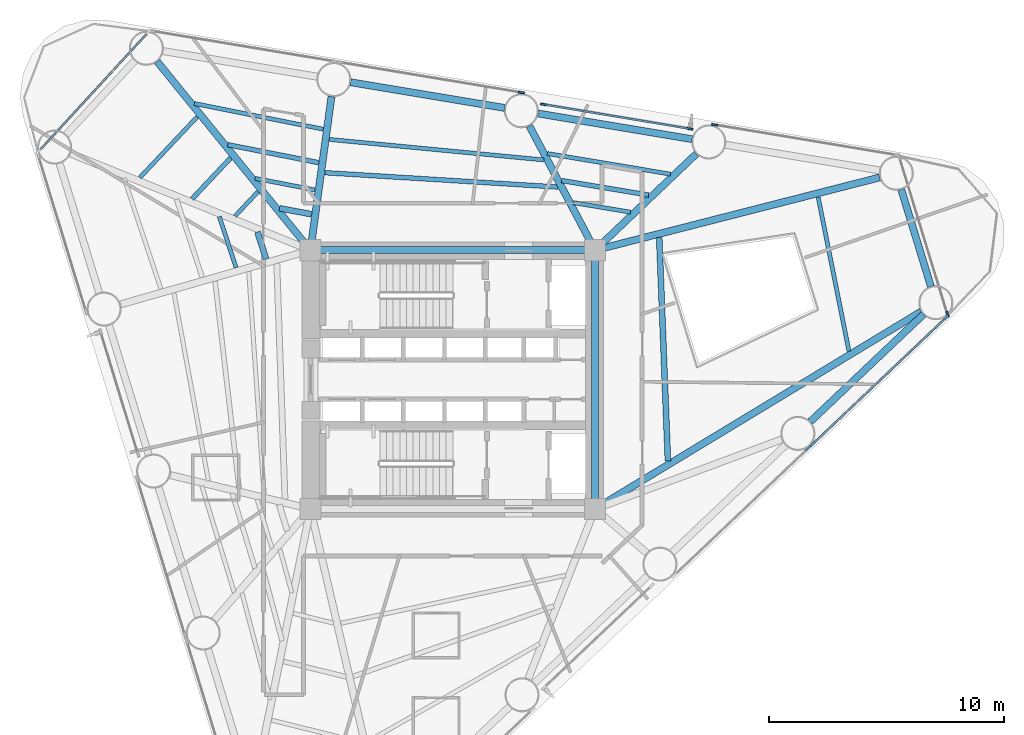
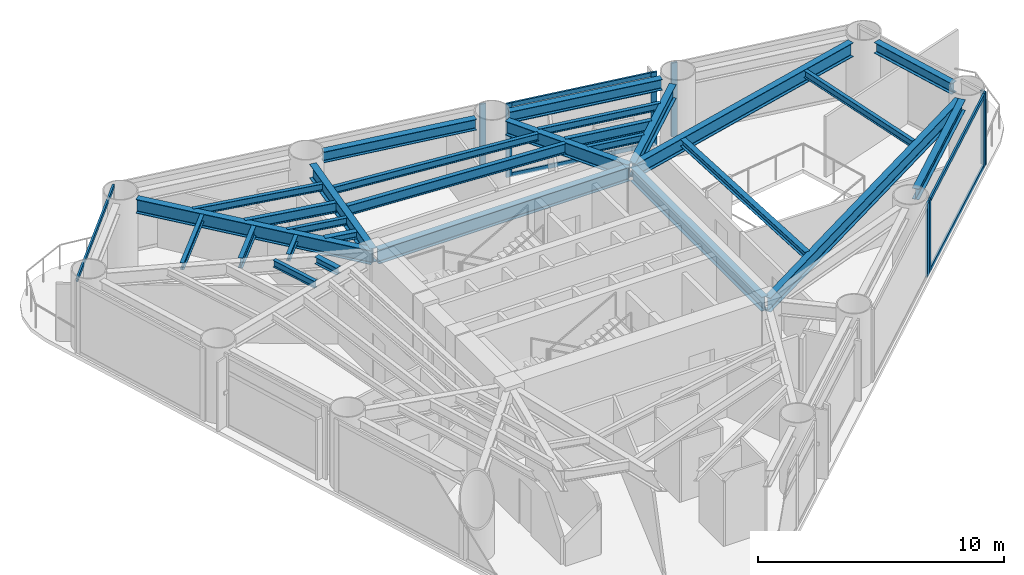
# One storey, part 3 of 10: 28 beams, 14 members, 7 elements without a shape of their own.
"""IFC4 building model written with IfcOpenShell, lengths in metres."""

from ifc_helpers import new_model, si_unit, direction, frame, origin, origin_2d, place, context, subcontext, project, spatial, rectangle, i_section, extrude, source, transform, mapped, material, layer, layer_set, material_profile, profile_set, type_object, element, aggregate, save


model = new_model("IFC4")

# Units and contexts
model_context = context("Model", 3, precision=1e-05, world=origin(), true_north=direction((0.0, 1.0)))
body_context = subcontext(model_context, "Body", "Model", "MODEL_VIEW")
ifc_project = project(units=[si_unit("LENGTHUNIT", "METRE"), si_unit("AREAUNIT", "SQUARE_METRE"), si_unit("VOLUMEUNIT", "CUBIC_METRE"), si_unit("PLANEANGLEUNIT", "RADIAN"), si_unit("MASSUNIT", "GRAM", prefix="KILO")], contexts=[model_context])

# Site, building, storey
site_placement = place(None, origin())
site = spatial("IfcSite", under=ifc_project, at=site_placement, CompositionType="ELEMENT")
building_placement = place(site_placement, origin())
building = spatial("IfcBuilding", under=site, at=building_placement, Name="Yunling Apex Tower", CompositionType="ELEMENT")
storey_placement = place(building_placement, frame((0.0, 0.0, 97.39990234375)))
storey = spatial("IfcBuildingStorey", under=building, at=storey_placement, Name="L24", CompositionType="ELEMENT", Elevation=97.39990234375)

# Beams
ifc_material_1 = material(Name="Steel Q355B", Category="steel")
ifc_material_profile_1 = material_profile(ifc_material_1, i_section(OverallWidth=0.300048828125, OverallDepth=0.699951171875, WebThickness=0.012939453125, FlangeThickness=0.02392578125, FilletRadius=0.02587890625, at=origin_2d()))
ifc_profile_set_1 = profile_set([ifc_material_profile_1], Name="Steel Q355B")
beam_type_1 = type_object("IfcBeamType", Name="BG-PRI-3", PredefinedType="USERDEFINED", material=ifc_profile_set_1)
shared_shape_1 = source(origin(), body_context, "Body", "SweptSolid", [
    extrude(i_section(OverallWidth=0.300048828125, OverallDepth=0.699951171875, WebThickness=0.012939453125, FlangeThickness=0.02392578125, FilletRadius=0.02587890625, at=origin_2d()), origin(), (0.0, 0.0, 1.0), 11.7998046875),
])
beam_1_placement = place(storey_placement, frame((5.89990234375, 5.5, 3.215087890625), z_axis=(-1.0, 0.0, 0.0), x_axis=(0.0, -1.0, 0.0)))
element("IfcBeam", 1, at=beam_1_placement, inside=storey, type_object=beam_type_1, Name="L24 Core Ring Tie Beam 3", ObjectType="GIRDER", PredefinedType="USERDEFINED", context=body_context, shape_type="MappedRepresentation", body=[
    mapped(shared_shape_1, transform((0.0, 0.0, 0.0), scale=1.0)),
])
shared_shape_2 = source(origin(), body_context, "Body", "SweptSolid", [
    extrude(i_section(OverallWidth=0.300048828125, OverallDepth=0.699951171875, WebThickness=0.012939453125, FlangeThickness=0.02392578125, FilletRadius=0.02587890625, at=origin_2d()), origin(), (0.0, 0.0, 1.0), 10.7001953125),
])
beam_2_placement = place(storey_placement, frame((6.050048828125, -5.35009765625, 3.215087890625), z_axis=(0.0, 1.0, 0.0), x_axis=(-1.0, 0.0, 0.0)))
element("IfcBeam", 2, at=beam_2_placement, inside=storey, type_object=beam_type_1, Name="L24 Core Ring Tie Beam 2", ObjectType="GIRDER", PredefinedType="USERDEFINED", context=body_context, shape_type="MappedRepresentation", body=[
    mapped(shared_shape_2, transform((0.0, 0.0, 0.0), scale=1.0)),
])
ifc_material_profile_2 = material_profile(ifc_material_1, i_section(OverallWidth=0.300048828125, OverallDepth=0.5400390625, WebThickness=0.011962890625, FlangeThickness=0.02001953125, FilletRadius=0.02392578125, at=origin_2d()))
ifc_profile_set_2 = profile_set([ifc_material_profile_2], Name="Steel Q355B")
beam_type_2 = type_object("IfcBeamType", Name="BP-SPN-1", PredefinedType="SPANDREL", material=ifc_profile_set_2)
shared_shape_3 = source(origin(), body_context, "Body", "SweptSolid", [
    extrude(i_section(OverallWidth=0.300048828125, OverallDepth=0.5400390625, WebThickness=0.011962890625, FlangeThickness=0.02001953125, FilletRadius=0.02392578125, at=origin_2d()), origin(), (0.0, 0.0, 1.0), 6.6416015625),
])
beam_3_placement = place(storey_placement, frame((15.194580078125, -1.79248046875, 3.295166015625), z_axis=(0.725873473547, 0.687828249203, 0.0), x_axis=(-0.687828249203, 0.725873473547, 0.0)))
element("IfcBeam", 3, at=beam_3_placement, inside=storey, type_object=beam_type_2, Name="L24 Perimeter Spandrel Beam 4", PredefinedType="SPANDREL", context=body_context, shape_type="MappedRepresentation", body=[
    mapped(shared_shape_3, transform((0.0, 0.0, 0.0), scale=1.0)),
])
shared_shape_4 = source(origin(), body_context, "Body", "SweptSolid", [
    extrude(i_section(OverallWidth=0.300048828125, OverallDepth=0.5400390625, WebThickness=0.011962890625, FlangeThickness=0.02001953125, FilletRadius=0.02392578125, at=origin_2d()), origin(), (0.0, 0.0, 1.0), 4.316162109375),
])
beam_4_placement = place(storey_placement, frame((20.327392578125, 3.9580078125, 3.295166015625), z_axis=(-0.29238810835, 0.956299740717, 0.0), x_axis=(-0.956299740717, -0.29238810835, 0.0)))
element("IfcBeam", 4, at=beam_4_placement, inside=storey, type_object=beam_type_2, Name="L24 Perimeter Spandrel Beam 5", PredefinedType="SPANDREL", context=body_context, shape_type="MappedRepresentation", body=[
    mapped(shared_shape_4, transform((0.0, 0.0, 0.0), scale=1.0)),
])
shared_shape_5 = source(origin(), body_context, "Body", "SweptSolid", [
    extrude(i_section(OverallWidth=0.300048828125, OverallDepth=0.5400390625, WebThickness=0.011962890625, FlangeThickness=0.02001953125, FilletRadius=0.02392578125, at=origin_2d()), origin(), (0.0, 0.0, 1.0), 6.641845703125),
])
for number, where, z_axis, x_axis, name in (
    (5, (10.176025390625, 10.21923828125, 3.295166015625), (-0.986402863526, 0.164345340146, 0.0), (-0.164345340146, -0.986402863526, 0.0), "L24 Perimeter Spandrel Beam 7"),
    (6, (2.206298828125, 11.547119140625, 3.295166015625), (-0.986396904036, 0.164381105081, 0.0), (-0.164381105081, -0.986396904036, 0.0), "L24 Perimeter Spandrel Beam 8"),
):
    element("IfcBeam", number, at=place(storey_placement, frame(where, z_axis=z_axis, x_axis=x_axis)), inside=storey, type_object=beam_type_2, Name=name, PredefinedType="SPANDREL", context=body_context, shape_type="MappedRepresentation", body=[
        mapped(shared_shape_5, transform((0.0, 0.0, 0.0), scale=1.0)),
    ])
shared_shape_6 = source(origin(), body_context, "Body", "SweptSolid", [
    extrude(i_section(OverallWidth=0.300048828125, OverallDepth=0.699951171875, WebThickness=0.012939453125, FlangeThickness=0.02392578125, FilletRadius=0.02587890625, at=origin_2d()), origin(), (0.0, 0.0, 1.0), 16.12255859375),
])
beam_5_placement = place(storey_placement, frame((19.91064453125, 2.890869140625, 3.215087890625), z_axis=(-0.855460711475, -0.517867715854, 0.0), x_axis=(0.517867715854, -0.855460711475, 0.0)))
element("IfcBeam", 7, at=beam_5_placement, inside=storey, type_object=beam_type_1, Name="L24 Radial Primary Girder R05", ObjectType="GIRDER", PredefinedType="USERDEFINED", context=body_context, shape_type="MappedRepresentation", body=[
    mapped(shared_shape_6, transform((0.0, 0.0, 0.0), scale=1.0)),
])
shared_shape_7 = source(origin(), body_context, "Body", "SweptSolid", [
    extrude(i_section(OverallWidth=0.300048828125, OverallDepth=0.699951171875, WebThickness=0.012939453125, FlangeThickness=0.02392578125, FilletRadius=0.02587890625, at=origin_2d()), origin(), (0.0, 0.0, 1.0), 12.404052734375),
])
beam_6_placement = place(storey_placement, frame((18.14501953125, 8.591552734375, 3.215087890625), z_axis=(-0.968850823376, -0.247645072723, 0.0), x_axis=(0.247645072723, -0.968850823376, 0.0)))
element("IfcBeam", 8, at=beam_6_placement, inside=storey, type_object=beam_type_1, Name="L24 Radial Primary Girder R06", ObjectType="GIRDER", PredefinedType="USERDEFINED", context=body_context, shape_type="MappedRepresentation", body=[
    mapped(shared_shape_7, transform((0.0, 0.0, 0.0), scale=1.0)),
])
shared_shape_8 = source(origin(), body_context, "Body", "SweptSolid", [
    extrude(i_section(OverallWidth=0.300048828125, OverallDepth=0.699951171875, WebThickness=0.012939453125, FlangeThickness=0.02392578125, FilletRadius=0.02587890625, at=origin_2d()), origin(), (0.0, 0.0, 1.0), 5.861572265625),
])
beam_7_placement = place(storey_placement, frame((10.354248046875, 9.595703125, 3.215087890625), z_axis=(-0.724444921608, -0.689332688588, 0.0), x_axis=(0.689332688588, -0.724444921608, 0.0)))
element("IfcBeam", 9, at=beam_7_placement, inside=storey, type_object=beam_type_1, Name="L24 Radial Primary Girder R07", ObjectType="GIRDER", PredefinedType="USERDEFINED", context=body_context, shape_type="MappedRepresentation", body=[
    mapped(shared_shape_8, transform((0.0, 0.0, 0.0), scale=1.0)),
])
shared_shape_9 = source(origin(), body_context, "Body", "SweptSolid", [
    extrude(i_section(OverallWidth=0.300048828125, OverallDepth=0.699951171875, WebThickness=0.012939453125, FlangeThickness=0.02392578125, FilletRadius=0.02587890625, at=origin_2d()), origin(), (0.0, 0.0, 1.0), 5.8935546875),
])
beam_8_placement = place(storey_placement, frame((3.258056640625, 10.781005859375, 3.215087890625), z_axis=(0.467396595772, -0.884047748858, 0.0), x_axis=(0.884047748858, 0.467396595772, 0.0)))
element("IfcBeam", 10, at=beam_8_placement, inside=storey, type_object=beam_type_1, Name="L24 Radial Primary Girder R08", ObjectType="GIRDER", PredefinedType="USERDEFINED", context=body_context, shape_type="MappedRepresentation", body=[
    mapped(shared_shape_9, transform((0.0, 0.0, 0.0), scale=1.0)),
])
shared_shape_10 = source(origin(), body_context, "Body", "SweptSolid", [
    extrude(i_section(OverallWidth=0.300048828125, OverallDepth=0.699951171875, WebThickness=0.012939453125, FlangeThickness=0.02392578125, FilletRadius=0.02587890625, at=origin_2d()), origin(), (0.0, 0.0, 1.0), 6.51171875),
])
beam_9_placement = place(storey_placement, frame((-5.154052734375, 12.03076171875, 3.215087890625), z_axis=(-0.135907866291, -0.990721480478, 0.0), x_axis=(0.990721480478, -0.135907866291, 0.0)))
element("IfcBeam", 11, at=beam_9_placement, inside=storey, type_object=beam_type_1, Name="L24 Radial Primary Girder R09", ObjectType="GIRDER", PredefinedType="USERDEFINED", context=body_context, shape_type="MappedRepresentation", body=[
    mapped(shared_shape_10, transform((0.0, 0.0, 0.0), scale=1.0)),
])
shared_shape_11 = source(origin(), body_context, "Body", "SweptSolid", [
    extrude(i_section(OverallWidth=0.300048828125, OverallDepth=0.699951171875, WebThickness=0.012939453125, FlangeThickness=0.02392578125, FilletRadius=0.02587890625, at=origin_2d()), origin(), (0.0, 0.0, 1.0), 10.248046875),
])
beam_10_placement = place(storey_placement, frame((-12.56201171875, 13.51611328125, 3.215087890625), z_axis=(0.630531635465, -0.776163550212, 0.0), x_axis=(0.776163550212, 0.630531635465, 0.0)))
element("IfcBeam", 12, at=beam_10_placement, inside=storey, type_object=beam_type_1, Name="L24 Radial Primary Girder R10", ObjectType="GIRDER", PredefinedType="USERDEFINED", context=body_context, shape_type="MappedRepresentation", body=[
    mapped(shared_shape_11, transform((0.0, 0.0, 0.0), scale=1.0)),
])
ifc_material_profile_3 = material_profile(ifc_material_1, i_section(OverallWidth=0.175048828125, OverallDepth=0.35009765625, WebThickness=0.007080078125, FlangeThickness=0.010986328125, FilletRadius=0.013916015625, at=origin_2d()))
ifc_profile_set_3 = profile_set([ifc_material_profile_3], Name="Steel Q355B")
beam_type_3 = type_object("IfcBeamType", Name="BJ-JST-1", PredefinedType="JOIST", material=ifc_profile_set_3)
shared_shape_12 = source(origin(), body_context, "Body", "SweptSolid", [
    extrude(i_section(OverallWidth=0.175048828125, OverallDepth=0.35009765625, WebThickness=0.007080078125, FlangeThickness=0.010986328125, FilletRadius=0.013916015625, at=origin_2d()), origin(), (0.0, 0.0, 1.0), 6.677978515625),
])
beam_11_placement = place(storey_placement, frame((16.844970703125, 1.2109375, 3.39013671875), z_axis=(-0.196502798026, 0.980503263823, 0.0), x_axis=(-0.980503263823, -0.196502798026, 0.0)))
element("IfcBeam", 13, at=beam_11_placement, inside=storey, type_object=beam_type_3, Name="L24 Composite Floor Joist BJ1-5", PredefinedType="JOIST", context=body_context, shape_type="MappedRepresentation", body=[
    mapped(shared_shape_12, transform((0.0, 0.0, 0.0), scale=1.0)),
])
ifc_material_profile_4 = material_profile(ifc_material_1, i_section(OverallWidth=0.25, OverallDepth=0.340087890625, WebThickness=0.009033203125, FlangeThickness=0.013916015625, FilletRadius=0.01806640625, at=origin_2d()))
ifc_profile_set_4 = profile_set([ifc_material_profile_4], Name="Steel Q355B")
beam_type_4 = type_object("IfcBeamType", Name="BJ-JST-2", PredefinedType="JOIST", material=ifc_profile_set_4)
shared_shape_13 = source(origin(), body_context, "Body", "SweptSolid", [
    extrude(i_section(OverallWidth=0.25, OverallDepth=0.340087890625, WebThickness=0.009033203125, FlangeThickness=0.013916015625, FilletRadius=0.01806640625, at=origin_2d()), origin(), (0.0, 0.0, 1.0), 9.504638671875),
])
beam_12_placement = place(storey_placement, frame((9.146484375, -3.4619140625, 3.39501953125), z_axis=(-0.038811925144, 0.999246533377, 0.0), x_axis=(-0.999246533377, -0.038811925144, 0.0)))
element("IfcBeam", 14, at=beam_12_placement, inside=storey, type_object=beam_type_4, Name="L24 Composite Floor Joist BJ2-5", PredefinedType="JOIST", context=body_context, shape_type="MappedRepresentation", body=[
    mapped(shared_shape_13, transform((0.0, 0.0, 0.0), scale=1.0)),
])
ifc_material_profile_5 = material_profile(ifc_material_1, i_section(OverallWidth=0.199951171875, OverallDepth=0.5, WebThickness=0.010009765625, FlangeThickness=0.01611328125, FilletRadius=0.02001953125, at=origin_2d()))
ifc_profile_set_5 = profile_set([ifc_material_profile_5], Name="Steel Q355B")
beam_type_5 = type_object("IfcBeamType", Name="BS-SEC-2", PredefinedType="BEAM", material=ifc_profile_set_5)
shared_shape_14 = source(origin(), body_context, "Body", "SweptSolid", [
    extrude(i_section(OverallWidth=0.199951171875, OverallDepth=0.5, WebThickness=0.010009765625, FlangeThickness=0.01611328125, FilletRadius=0.02001953125, at=origin_2d()), origin(), (0.0, 0.0, 1.0), 3.751708984375),
])
beam_13_placement = place(storey_placement, frame((8.328125, 7.84423828125, 3.315185546875), z_axis=(-0.986342871573, 0.164705008112, 0.0), x_axis=(-0.164705008112, -0.986342871573, 0.0)))
element("IfcBeam", 15, at=beam_13_placement, inside=storey, type_object=beam_type_5, Name="L24 Composite Floor Beam BS-7", PredefinedType="BEAM", context=body_context, shape_type="MappedRepresentation", body=[
    mapped(shared_shape_14, transform((0.0, 0.0, 0.0), scale=1.0)),
])
shared_shape_15 = source(origin(), body_context, "Body", "SweptSolid", [
    extrude(i_section(OverallWidth=0.175048828125, OverallDepth=0.35009765625, WebThickness=0.007080078125, FlangeThickness=0.010986328125, FilletRadius=0.013916015625, at=origin_2d()), origin(), (0.0, 0.0, 1.0), 5.31298828125),
])
beam_14_placement = place(storey_placement, frame((9.26220703125, 8.733154296875, 3.39013671875), z_axis=(-0.9863379805, 0.164734295835, 0.0), x_axis=(-0.164734295835, -0.9863379805, 0.0)))
element("IfcBeam", 16, at=beam_14_placement, inside=storey, type_object=beam_type_3, Name="L24 Composite Floor Joist BJ1-7", PredefinedType="JOIST", context=body_context, shape_type="MappedRepresentation", body=[
    mapped(shared_shape_15, transform((0.0, 0.0, 0.0), scale=1.0)),
])
shared_shape_16 = source(origin(), body_context, "Body", "SweptSolid", [
    extrude(i_section(OverallWidth=0.175048828125, OverallDepth=0.35009765625, WebThickness=0.007080078125, FlangeThickness=0.010986328125, FilletRadius=0.013916015625, at=origin_2d()), origin(), (0.0, 0.0, 1.0), 2.4736328125),
])
beam_15_placement = place(storey_placement, frame((7.563720703125, 7.116943359375, 3.39013671875), z_axis=(-0.986340524185, 0.164719064925, 0.0), x_axis=(-0.164719064925, -0.986340524185, 0.0)))
element("IfcBeam", 17, at=beam_15_placement, inside=storey, type_object=beam_type_3, Name="L24 Composite Floor Joist BJ3-7", PredefinedType="JOIST", context=body_context, shape_type="MappedRepresentation", body=[
    mapped(shared_shape_16, transform((0.0, 0.0, 0.0), scale=1.0)),
])
shared_shape_17 = source(origin(), body_context, "Body", "SweptSolid", [
    extrude(i_section(OverallWidth=0.199951171875, OverallDepth=0.5, WebThickness=0.010009765625, FlangeThickness=0.01611328125, FilletRadius=0.02001953125, at=origin_2d()), origin(), (0.0, 0.0, 1.0), 9.931396484375),
])
beam_16_placement = place(storey_placement, frame((4.4755859375, 8.185791015625, 3.315185546875), z_axis=(-0.998115763158, 0.061358971106, 0.0), x_axis=(-0.061358971106, -0.998115763158, 0.0)))
element("IfcBeam", 18, at=beam_16_placement, inside=storey, type_object=beam_type_5, Name="L24 Composite Floor Beam BS-8", PredefinedType="BEAM", context=body_context, shape_type="MappedRepresentation", body=[
    mapped(shared_shape_17, transform((0.0, 0.0, 0.0), scale=1.0)),
])
shared_shape_18 = source(origin(), body_context, "Body", "SweptSolid", [
    extrude(i_section(OverallWidth=0.175048828125, OverallDepth=0.35009765625, WebThickness=0.007080078125, FlangeThickness=0.010986328125, FilletRadius=0.013916015625, at=origin_2d()), origin(), (0.0, 0.0, 1.0), 9.154296875),
])
beam_17_placement = place(storey_placement, frame((3.8701171875, 9.33740234375, 3.39013671875), z_axis=(-0.99545727606, 0.095209303851, 0.0), x_axis=(-0.095209303851, -0.99545727606, 0.0)))
element("IfcBeam", 19, at=beam_17_placement, inside=storey, type_object=beam_type_3, Name="L24 Composite Floor Joist BJ1-8", PredefinedType="JOIST", context=body_context, shape_type="MappedRepresentation", body=[
    mapped(shared_shape_18, transform((0.0, 0.0, 0.0), scale=1.0)),
])
shared_shape_19 = source(origin(), body_context, "Body", "SweptSolid", [
    extrude(i_section(OverallWidth=0.199951171875, OverallDepth=0.5, WebThickness=0.010009765625, FlangeThickness=0.01611328125, FilletRadius=0.02001953125, at=origin_2d()), origin(), (0.0, 0.0, 1.0), 3.93603515625),
])
beam_18_placement = place(storey_placement, frame((-5.700439453125, 9.22314453125, 3.315185546875), z_axis=(-0.981071392503, 0.193646386002, 0.0), x_axis=(-0.193646386002, -0.981071392503, 0.0)))
element("IfcBeam", 20, at=beam_18_placement, inside=storey, type_object=beam_type_5, Name="L24 Composite Floor Beam BS-9", PredefinedType="BEAM", context=body_context, shape_type="MappedRepresentation", body=[
    mapped(shared_shape_19, transform((0.0, 0.0, 0.0), scale=1.0)),
])
shared_shape_20 = source(origin(), body_context, "Body", "SweptSolid", [
    extrude(i_section(OverallWidth=0.175048828125, OverallDepth=0.35009765625, WebThickness=0.007080078125, FlangeThickness=0.010986328125, FilletRadius=0.013916015625, at=origin_2d()), origin(), (0.0, 0.0, 1.0), 5.5859375),
])
beam_19_placement = place(storey_placement, frame((-5.505615234375, 10.642822265625, 3.39013671875), z_axis=(-0.980703200221, 0.195502514243, 0.0), x_axis=(-0.195502514243, -0.980703200221, 0.0)))
element("IfcBeam", 21, at=beam_19_placement, inside=storey, type_object=beam_type_3, Name="L24 Composite Floor Joist BJ1-9", PredefinedType="JOIST", context=body_context, shape_type="MappedRepresentation", body=[
    mapped(shared_shape_20, transform((0.0, 0.0, 0.0), scale=1.0)),
])
shared_shape_21 = source(origin(), body_context, "Body", "SweptSolid", [
    extrude(i_section(OverallWidth=0.175048828125, OverallDepth=0.35009765625, WebThickness=0.007080078125, FlangeThickness=0.010986328125, FilletRadius=0.013916015625, at=origin_2d()), origin(), (0.0, 0.0, 1.0), 2.586181640625),
])
beam_20_placement = place(storey_placement, frame((-5.85986328125, 8.061279296875, 3.39013671875), z_axis=(-0.981668903035, 0.190594241295, 0.0), x_axis=(-0.190594241295, -0.981668903035, 0.0)))
element("IfcBeam", 22, at=beam_20_placement, inside=storey, type_object=beam_type_3, Name="L24 Composite Floor Joist BJ3-9", PredefinedType="JOIST", context=body_context, shape_type="MappedRepresentation", body=[
    mapped(shared_shape_21, transform((0.0, 0.0, 0.0), scale=1.0)),
])
shared_shape_22 = source(origin(), body_context, "Body", "SweptSolid", [
    extrude(i_section(OverallWidth=0.25, OverallDepth=0.340087890625, WebThickness=0.009033203125, FlangeThickness=0.013916015625, FilletRadius=0.01806640625, at=origin_2d()), origin(), (0.0, 0.0, 1.0), 1.38671875),
])
beam_21_placement = place(storey_placement, frame((-6.001708984375, 7.028076171875, 3.39501953125), z_axis=(-0.982993560329, 0.183640029272, 0.0), x_axis=(-0.183640029272, -0.982993560329, 0.0)))
element("IfcBeam", 23, at=beam_21_placement, inside=storey, type_object=beam_type_4, Name="L24 Composite Floor Joist BJ2-9", PredefinedType="JOIST", context=body_context, shape_type="MappedRepresentation", body=[
    mapped(shared_shape_22, transform((0.0, 0.0, 0.0), scale=1.0)),
])
shared_shape_23 = source(origin(), body_context, "Body", "SweptSolid", [
    extrude(i_section(OverallWidth=0.199951171875, OverallDepth=0.5, WebThickness=0.010009765625, FlangeThickness=0.01611328125, FilletRadius=0.02001953125, at=origin_2d()), origin(), (0.0, 0.0, 1.0), 2.385498046875),
])
beam_22_placement = place(storey_placement, frame((-9.44091796875, 9.422607421875, 3.315185546875), z_axis=(-0.685604091154, -0.727974608207, 0.0), x_axis=(0.727974608207, -0.685604091154, 0.0)))
element("IfcBeam", 24, at=beam_22_placement, inside=storey, type_object=beam_type_5, Name="L24 Composite Floor Beam BS-10", PredefinedType="BEAM", context=body_context, shape_type="MappedRepresentation", body=[
    mapped(shared_shape_23, transform((0.0, 0.0, 0.0), scale=1.0)),
])
shared_shape_24 = source(origin(), body_context, "Body", "SweptSolid", [
    extrude(i_section(OverallWidth=0.175048828125, OverallDepth=0.35009765625, WebThickness=0.007080078125, FlangeThickness=0.010986328125, FilletRadius=0.013916015625, at=origin_2d()), origin(), (0.0, 0.0, 1.0), 3.558349609375),
])
beam_23_placement = place(storey_placement, frame((-10.862548828125, 11.172607421875, 3.39013671875), z_axis=(-0.685976545908, -0.727623651666, 0.0), x_axis=(0.727623651666, -0.685976545908, 0.0)))
element("IfcBeam", 25, at=beam_23_placement, inside=storey, type_object=beam_type_3, Name="L24 Composite Floor Joist BJ1-10", PredefinedType="JOIST", context=body_context, shape_type="MappedRepresentation", body=[
    mapped(shared_shape_24, transform((0.0, 0.0, 0.0), scale=1.0)),
])
shared_shape_25 = source(origin(), body_context, "Body", "SweptSolid", [
    extrude(i_section(OverallWidth=0.175048828125, OverallDepth=0.35009765625, WebThickness=0.007080078125, FlangeThickness=0.010986328125, FilletRadius=0.013916015625, at=origin_2d()), origin(), (0.0, 0.0, 1.0), 1.42578125),
])
beam_24_placement = place(storey_placement, frame((-8.277587890625, 7.99072265625, 3.39013671875), z_axis=(-0.68493728069, -0.728602032334, 0.0), x_axis=(0.728602032334, -0.68493728069, 0.0)))
element("IfcBeam", 26, at=beam_24_placement, inside=storey, type_object=beam_type_3, Name="L24 Composite Floor Joist BJ3-10", PredefinedType="JOIST", context=body_context, shape_type="MappedRepresentation", body=[
    mapped(shared_shape_25, transform((0.0, 0.0, 0.0), scale=1.0)),
])
shared_shape_26 = source(origin(), body_context, "Body", "SweptSolid", [
    extrude(i_section(OverallWidth=0.175048828125, OverallDepth=0.35009765625, WebThickness=0.007080078125, FlangeThickness=0.010986328125, FilletRadius=0.013916015625, at=origin_2d()), origin(), (0.0, 0.0, 1.0), 2.277099609375),
])
beam_25_placement = place(storey_placement, frame((-9.92138671875, 6.927978515625, 3.39013671875), z_axis=(0.311044342957, -0.950395400196, 0.0), x_axis=(0.950395400196, 0.311044342957, 0.0)))
element("IfcBeam", 27, at=beam_25_placement, inside=storey, type_object=beam_type_3, Name="L24 Composite Floor Joist BJ3-11", PredefinedType="JOIST", context=body_context, shape_type="MappedRepresentation", body=[
    mapped(shared_shape_26, transform((0.0, 0.0, 0.0), scale=1.0)),
])
shared_shape_27 = source(origin(), body_context, "Body", "SweptSolid", [
    extrude(i_section(OverallWidth=0.25, OverallDepth=0.340087890625, WebThickness=0.009033203125, FlangeThickness=0.013916015625, FilletRadius=0.01806640625, at=origin_2d()), origin(), (0.0, 0.0, 1.0), 1.2041015625),
])
beam_26_placement = place(storey_placement, frame((-8.302490234375, 6.275146484375, 3.39501953125), z_axis=(0.306173262139, -0.951975805129, 0.0), x_axis=(0.951975805129, 0.306173262139, 0.0)))
element("IfcBeam", 28, at=beam_26_placement, inside=storey, type_object=beam_type_4, Name="L24 Composite Floor Joist BJ2-11", PredefinedType="JOIST", context=body_context, shape_type="MappedRepresentation", body=[
    mapped(shared_shape_27, transform((0.0, 0.0, 0.0), scale=1.0)),
])

# Curtain wall, member
ifc_material_2 = material(Name="Bronze anodised aluminium", Category="aluminium")
ifc_layer = layer(ifc_material_2, 0.260009765625)
ifc_layer_set = layer_set([ifc_layer], Name="Bronze anodised aluminium")
curtain_wall_type = type_object("IfcCurtainWallType", Name="CW-SYS-2", PredefinedType="NOTDEFINED", material=ifc_layer_set)
curtain_wall_1_placement = place(storey_placement, origin())
curtain_wall_1 = element("IfcCurtainWall", 29, at=curtain_wall_1_placement, inside=storey, type_object=curtain_wall_type, Name="CW-L24-F1-B3", PredefinedType="NOTDEFINED")
ifc_material_profile_6 = material_profile(ifc_material_2, rectangle(XDim=0.0849609375, YDim=0.260009765625, at=origin_2d()))
ifc_profile_set_6 = profile_set([ifc_material_profile_6], Name="Bronze anodised aluminium")
member_type_1 = type_object("IfcMemberType", Name="CW-MUL-2", PredefinedType="MULLION", material=ifc_profile_set_6)
shared_shape_28 = source(origin(), body_context, "Body", "SweptSolid", [
    extrude(rectangle(XDim=0.0849609375, YDim=0.260009765625, at=origin_2d()), origin(), (0.0, 0.0, 1.0), 3.664794921875),
])
member_1_placement = place(storey_placement, frame((15.106689453125, -2.923095703125, -0.0498046875), z_axis=(0.0, 0.0, 1.0), x_axis=(-0.687861264918, 0.72584218686, 0.0)))
member_1 = element("IfcMember", 30, at=member_1_placement, type_object=member_type_1, Name="CW-SYS-2 mullion 2", PredefinedType="MULLION", context=body_context, shape_type="MappedRepresentation", body=[
    mapped(shared_shape_28, transform((0.0, 0.0, 0.0), scale=1.0)),
])
aggregate(curtain_wall_1, [member_1])

# Curtain wall, members
curtain_wall_2_placement = place(storey_placement, origin())
curtain_wall_2 = element("IfcCurtainWall", 31, at=curtain_wall_2_placement, inside=storey, type_object=curtain_wall_type, Name="CW-L24-F1-B4", PredefinedType="NOTDEFINED")
member_2_placement = place(storey_placement, frame((15.28466796875, -2.754638671875, -0.0498046875), z_axis=(0.0, 0.0, 1.0), x_axis=(-0.687861264918, 0.72584218686, 0.0)))
member_2 = element("IfcMember", 32, at=member_2_placement, type_object=member_type_1, Name="CW-SYS-2 mullion 1", PredefinedType="MULLION", context=body_context, shape_type="MappedRepresentation", body=[
    mapped(shared_shape_28, transform((0.0, 0.0, 0.0), scale=1.0)),
])
member_3_placement = place(storey_placement, frame((20.971435546875, 2.634765625, -0.0498046875), z_axis=(0.0, 0.0, 1.0), x_axis=(-0.687861264918, 0.72584218686, 0.0)))
member_3 = element("IfcMember", 33, at=member_3_placement, type_object=member_type_1, Name="CW-SYS-2 mullion 2", PredefinedType="MULLION", context=body_context, shape_type="MappedRepresentation", body=[
    mapped(shared_shape_28, transform((0.0, 0.0, 0.0), scale=1.0)),
])

# Curtain wall, member
curtain_wall_3_placement = place(storey_placement, origin())
curtain_wall_3 = element("IfcCurtainWall", 34, at=curtain_wall_3_placement, inside=storey, type_object=curtain_wall_type, Name="CW-L24-CRN1", PredefinedType="NOTDEFINED")
member_4_placement = place(storey_placement, frame((21.0341796875, 2.77392578125, -0.0498046875), z_axis=(0.0, 0.0, 1.0), x_axis=(-0.95630374567, -0.292375009223, 0.0)))
member_4 = element("IfcMember", 35, at=member_4_placement, type_object=member_type_1, Name="CW-SYS-2 mullion 1", PredefinedType="MULLION", context=body_context, shape_type="MappedRepresentation", body=[
    mapped(shared_shape_28, transform((0.0, 0.0, 0.0), scale=1.0)),
])
aggregate(curtain_wall_3, [member_4])

curtain_wall_4_placement = place(storey_placement, origin())
curtain_wall_4 = element("IfcCurtainWall", 36, at=curtain_wall_4_placement, inside=storey, type_object=curtain_wall_type, Name="CW-L24-F2-B1", PredefinedType="NOTDEFINED")
member_5_placement = place(storey_placement, frame((11.131103515625, 10.83056640625, -0.0498046875), z_axis=(0.0, 0.0, 1.0), x_axis=(-0.16436008369, -0.98640040698, 0.0)))
member_5 = element("IfcMember", 37, at=member_5_placement, type_object=member_type_1, Name="CW-SYS-2 mullion 2", PredefinedType="MULLION", context=body_context, shape_type="MappedRepresentation", body=[
    mapped(shared_shape_28, transform((0.0, 0.0, 0.0), scale=1.0)),
])
aggregate(curtain_wall_4, [member_5])

# Curtain wall, members
curtain_wall_5_placement = place(storey_placement, origin())
curtain_wall_5 = element("IfcCurtainWall", 38, at=curtain_wall_5_placement, inside=storey, type_object=curtain_wall_type, Name="CW-L24-F2-B2", PredefinedType="NOTDEFINED")
member_6_placement = place(storey_placement, frame((10.078857421875, 10.6611328125, -0.0498046875), z_axis=(0.0, 0.0, 1.0), x_axis=(-0.164355844023, -0.986401113409, 0.0)))
member_6 = element("IfcMember", 39, at=member_6_placement, type_object=member_type_1, Name="CW-SYS-2 mullion 1", PredefinedType="MULLION", context=body_context, shape_type="MappedRepresentation", body=[
    mapped(shared_shape_28, transform((0.0, 0.0, 0.0), scale=1.0)),
])
member_7_placement = place(storey_placement, frame((3.85986328125, 11.697509765625, -0.0498046875), z_axis=(0.0, 0.0, 1.0), x_axis=(-0.164355844023, -0.986401113409, 0.0)))
member_7 = element("IfcMember", 40, at=member_7_placement, type_object=member_type_1, Name="CW-SYS-2 mullion 2", PredefinedType="MULLION", context=body_context, shape_type="MappedRepresentation", body=[
    mapped(shared_shape_28, transform((0.0, 0.0, 0.0), scale=1.0)),
])

# Curtain wall, member
curtain_wall_6_placement = place(storey_placement, origin())
curtain_wall_6 = element("IfcCurtainWall", 41, at=curtain_wall_6_placement, inside=storey, type_object=curtain_wall_type, Name="CW-L24-F2-B3", PredefinedType="NOTDEFINED")
member_8_placement = place(storey_placement, frame((2.91943359375, 12.198974609375, -0.0498046875), z_axis=(0.0, 0.0, 1.0), x_axis=(-0.164362130784, -0.986400065878, 0.0)))
member_8 = element("IfcMember", 42, at=member_8_placement, type_object=member_type_1, Name="CW-SYS-2 mullion 1", PredefinedType="MULLION", context=body_context, shape_type="MappedRepresentation", body=[
    mapped(shared_shape_28, transform((0.0, 0.0, 0.0), scale=1.0)),
])
aggregate(curtain_wall_6, [member_8])

# Member
ifc_material_profile_7 = material_profile(ifc_material_2, rectangle(XDim=0.0849609375, YDim=0.199951171875, at=origin_2d()))
ifc_profile_set_7 = profile_set([ifc_material_profile_7], Name="Bronze anodised aluminium")
member_type_2 = type_object("IfcMemberType", Name="CW-TRN-2", PredefinedType="USERDEFINED", material=ifc_profile_set_7)
shared_shape_29 = source(origin(), body_context, "Body", "SweptSolid", [
    extrude(rectangle(XDim=0.0849609375, YDim=0.199951171875, at=origin_2d()), origin(), (0.0, 0.0, 1.0), 7.75830078125),
])
member_9_placement = place(storey_placement, frame((15.312255859375, -2.728271484375, 0.04248046875), z_axis=(0.725842697135, 0.687860726467, 0.0), x_axis=(-0.687860726467, 0.725842697135, 0.0)))
member_9 = element("IfcMember", 43, at=member_9_placement, type_object=member_type_2, Name="CW-SYS-2 transom 1.1", ObjectType="TRANSOM", PredefinedType="USERDEFINED", context=body_context, shape_type="MappedRepresentation", body=[
    mapped(shared_shape_29, transform((0.0, 0.0, 0.0), scale=1.0)),
])

member_10_placement = place(storey_placement, frame((15.312255859375, -2.728271484375, 3.522705078125), z_axis=(0.725842697135, 0.687860726467, 0.0), x_axis=(-0.687860726467, 0.725842697135, 0.0)))
member_10 = element("IfcMember", 44, at=member_10_placement, type_object=member_type_2, Name="CW-SYS-2 transom 1.2", ObjectType="TRANSOM", PredefinedType="USERDEFINED", context=body_context, shape_type="MappedRepresentation", body=[
    mapped(shared_shape_29, transform((0.0, 0.0, 0.0), scale=1.0)),
])

aggregate(curtain_wall_2, [member_2, member_3, member_9, member_10])

shared_shape_30 = source(origin(), body_context, "Body", "SweptSolid", [
    extrude(rectangle(XDim=0.0849609375, YDim=0.199951171875, at=origin_2d()), origin(), (0.0, 0.0, 1.0), 6.228515625),
])
member_11_placement = place(storey_placement, frame((10.041259765625, 10.66748046875, 0.04248046875), z_axis=(-0.986401338544, 0.164354492848, 0.0), x_axis=(-0.164354492848, -0.986401338544, 0.0)))
member_11 = element("IfcMember", 45, at=member_11_placement, type_object=member_type_2, Name="CW-SYS-2 transom 1.1", ObjectType="TRANSOM", PredefinedType="USERDEFINED", context=body_context, shape_type="MappedRepresentation", body=[
    mapped(shared_shape_30, transform((0.0, 0.0, 0.0), scale=1.0)),
])

member_12_placement = place(storey_placement, frame((10.041259765625, 10.66748046875, 2.715087890625), z_axis=(-0.986401338544, 0.164354492848, 0.0), x_axis=(-0.164354492848, -0.986401338544, 0.0)))
member_12 = element("IfcMember", 46, at=member_12_placement, type_object=member_type_2, Name="CW-SYS-2 transom 1.2", ObjectType="TRANSOM", PredefinedType="USERDEFINED", context=body_context, shape_type="MappedRepresentation", body=[
    mapped(shared_shape_30, transform((0.0, 0.0, 0.0), scale=1.0)),
])

member_13_placement = place(storey_placement, frame((10.041259765625, 10.66748046875, 3.522705078125), z_axis=(-0.986401338544, 0.164354492848, 0.0), x_axis=(-0.164354492848, -0.986401338544, 0.0)))
member_13 = element("IfcMember", 47, at=member_13_placement, type_object=member_type_2, Name="CW-SYS-2 transom 1.3", ObjectType="TRANSOM", PredefinedType="USERDEFINED", context=body_context, shape_type="MappedRepresentation", body=[
    mapped(shared_shape_30, transform((0.0, 0.0, 0.0), scale=1.0)),
])

aggregate(curtain_wall_5, [member_6, member_7, member_11, member_12, member_13])

# Curtain wall, member
curtain_wall_7_placement = place(storey_placement, origin())
curtain_wall_7 = element("IfcCurtainWall", 48, at=curtain_wall_7_placement, inside=storey, type_object=curtain_wall_type, Name="CW-L24-CRN2", PredefinedType="NOTDEFINED")
shared_shape_31 = source(origin(), body_context, "Body", "SweptSolid", [
    extrude(rectangle(XDim=0.0849609375, YDim=0.199951171875, at=origin_2d()), origin(), (0.0, 0.0, 1.0), 6.831298828125),
])
member_14_placement = place(storey_placement, frame((-12.957275390625, 14.755615234375, 3.522705078125), z_axis=(-0.676783953504, -0.73618168972, 0.0), x_axis=(0.73618168972, -0.676783953504, 0.0)))
member_14 = element("IfcMember", 49, at=member_14_placement, type_object=member_type_2, Name="CW-SYS-2 transom 1.2", ObjectType="TRANSOM", PredefinedType="USERDEFINED", context=body_context, shape_type="MappedRepresentation", body=[
    mapped(shared_shape_31, transform((0.0, 0.0, 0.0), scale=1.0)),
])
aggregate(curtain_wall_7, [member_14])

save(model, "model.ifc")
